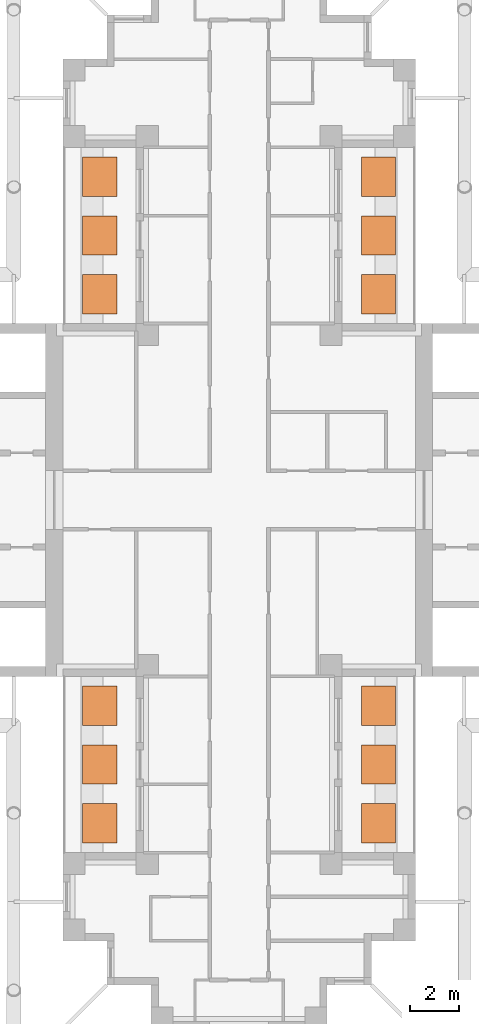
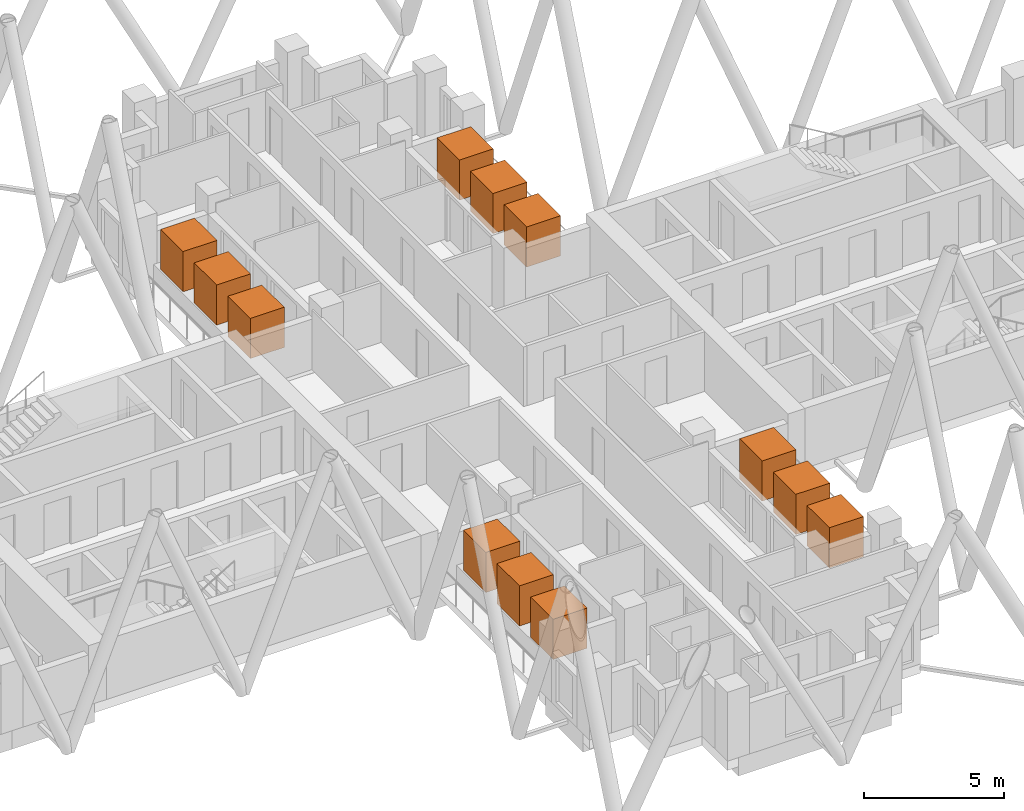
# One storey, part 12 of 12: 12 geographic elements.
"""IFC4 building model written with IfcOpenShell, lengths in metres."""

from ifc_helpers import new_model, si_unit, direction, frame, origin, origin_2d, place, context, subcontext, project, spatial, rectangle, extrude, material, element, save


model = new_model("IFC4")

# Units and contexts
model_context = context("Model", 3, precision=1e-05, world=origin(), true_north=direction((0.0, 1.0)))
body_context = subcontext(model_context, "Body", "Model", "MODEL_VIEW")
ifc_project = project(units=[si_unit("LENGTHUNIT", "METRE"), si_unit("AREAUNIT", "SQUARE_METRE"), si_unit("VOLUMEUNIT", "CUBIC_METRE"), si_unit("PLANEANGLEUNIT", "RADIAN"), si_unit("MASSUNIT", "GRAM", prefix="KILO")], contexts=[model_context])

# Site, building, storey
site_placement = place(None, origin())
site = spatial("IfcSite", under=ifc_project, at=site_placement, CompositionType="ELEMENT")
building_placement = place(site_placement, origin())
building = spatial("IfcBuilding", under=site, at=building_placement, Name="Fustian Cross Tower", CompositionType="ELEMENT")
storey_placement = place(building_placement, frame((0.0, 0.0, 179.699951171875)))
storey = spatial("IfcBuildingStorey", under=building, at=storey_placement, Name="L56", CompositionType="ELEMENT", Elevation=179.699951171875)

# Geographic elements
ifc_material = material(Name="Evergreen foliage")
for number, where, z_axis, x_axis, name in (
    (1, (5.68994140625, 8.39990234375, 0.800048828125), (0.0, 0.0, 1.0), (1.0, 0.0, 0.0), "TREE field maple"),
    (2, (5.68994140625, 10.800048828125, 0.800048828125), (0.0, 0.0, 1.0), (1.0, 0.0, 0.0), "TREE field maple"),
    (3, (5.68994140625, 13.199951171875, 0.800048828125), (0.0, 0.0, 1.0), (1.0, 0.0, 0.0), "TREE field maple"),
    (4, (-5.68994140625, 8.39990234375, 0.800048828125), (0.0, 0.0, 1.0), (1.0, 0.0, 0.0), "TREE field maple"),
    (5, (-5.68994140625, 10.800048828125, 0.800048828125), (0.0, 0.0, 1.0), (1.0, 0.0, 0.0), "TREE field maple"),
    (6, (-5.68994140625, 13.199951171875, 0.800048828125), (0.0, 0.0, 1.0), (1.0, 0.0, 0.0), "TREE field maple"),
    (7, (5.68994140625, -13.199951171875, 0.800048828125), (0.0, 0.0, 1.0), (1.0, 0.0, 0.0), "TREE field maple"),
    (8, (5.68994140625, -10.800048828125, 0.800048828125), (0.0, 0.0, 1.0), (1.0, 0.0, 0.0), "TREE field maple"),
    (9, (5.68994140625, -8.39990234375, 0.800048828125), (0.0, 0.0, 1.0), (1.0, 0.0, 0.0), "TREE field maple"),
    (10, (-5.68994140625, -13.199951171875, 0.800048828125), (0.0, 0.0, 1.0), (1.0, 0.0, 0.0), "TREE field maple"),
    (11, (-5.68994140625, -10.800048828125, 0.800048828125), (0.0, 0.0, 1.0), (1.0, 0.0, 0.0), "TREE field maple"),
    (12, (-5.68994140625, -8.39990234375, 0.800048828125), (0.0, 0.0, 1.0), (1.0, 0.0, 0.0), "TREE field maple"),
):
    element("IfcGeographicElement", number, at=place(storey_placement, frame(where, z_axis=z_axis, x_axis=x_axis)), inside=storey, material=ifc_material, Name=name, ObjectType="VEGETATION", PredefinedType="USERDEFINED", context=body_context, shape_type="SweptSolid", body=[
        extrude(rectangle(XDim=1.39990234375, YDim=1.60009765625, at=origin_2d()), origin(), (0.0, 0.0, 1.0), 1.75),
    ])

save(model, "model.ifc")
